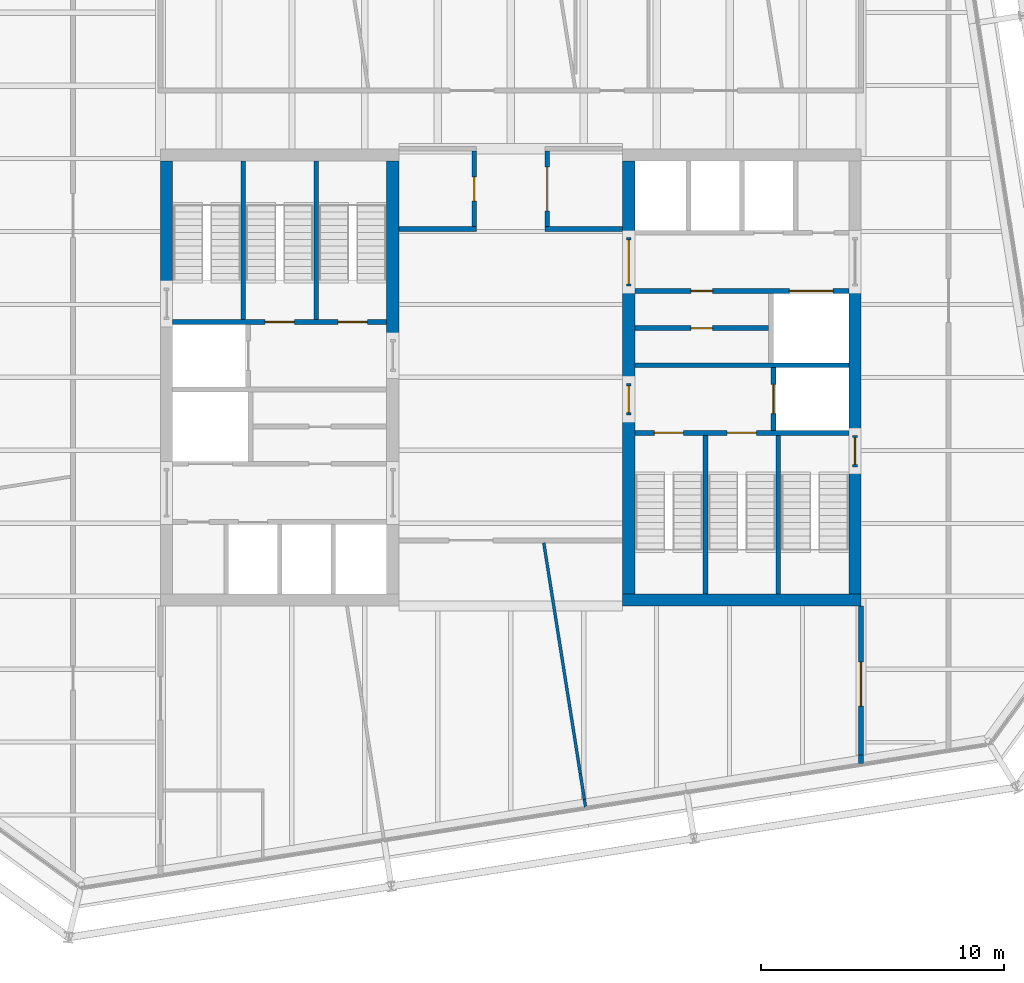
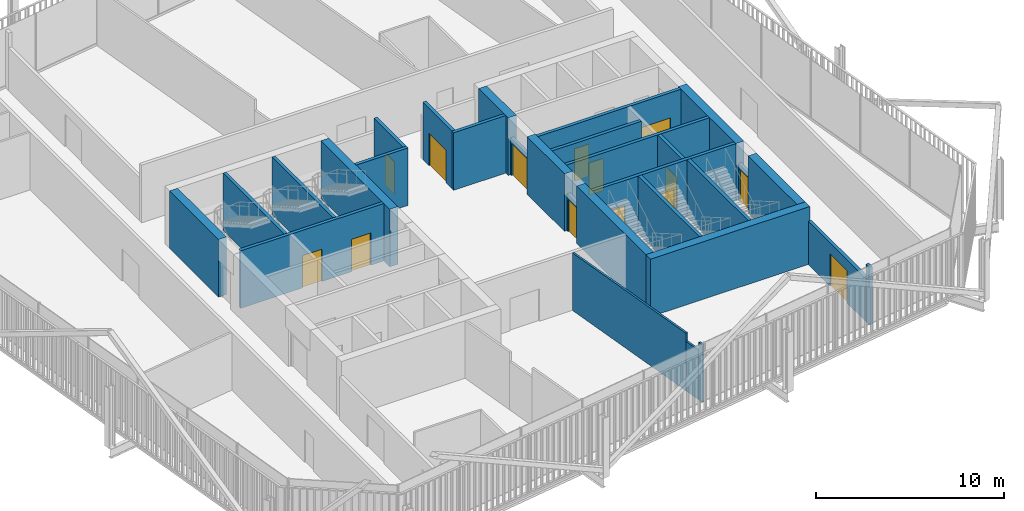
# One storey, part 18 of 21: 30 walls, 14 doors, 14 openings.
"""IFC4 building model written with IfcOpenShell, lengths in metres."""

from ifc_helpers import new_model, si_unit, direction, frame, frame_2d, origin, place, context, subcontext, project, spatial, rectangle, extrude, material, layer, layer_set, type_object, element, fill, save


model = new_model("IFC4")

# Units and contexts
model_context = context("Model", 3, precision=1e-05, world=origin(), true_north=direction((0.0, 1.0)))
body_context = subcontext(model_context, "Body", "Model", "MODEL_VIEW")
ifc_project = project(units=[si_unit("LENGTHUNIT", "METRE"), si_unit("AREAUNIT", "SQUARE_METRE"), si_unit("VOLUMEUNIT", "CUBIC_METRE"), si_unit("PLANEANGLEUNIT", "RADIAN"), si_unit("MASSUNIT", "GRAM", prefix="KILO")], contexts=[model_context])

# Site, building, storey
site_placement = place(None, origin())
site = spatial("IfcSite", under=ifc_project, at=site_placement, CompositionType="ELEMENT")
building_placement = place(site_placement, origin())
building = spatial("IfcBuilding", under=site, at=building_placement, Name="Millrace Tower", CompositionType="ELEMENT")
storey_placement = place(building_placement, frame((0.0, 0.0, 255.199951171875)))
storey = spatial("IfcBuildingStorey", under=building, at=storey_placement, Name="L58", CompositionType="ELEMENT", Elevation=255.199951171875)

# Walls
ifc_material_1 = material(Name="Concrete C60", Category="concrete")
ifc_layer_1 = layer(ifc_material_1, 0.5)
ifc_layer_set_1 = layer_set([ifc_layer_1], Name="Concrete C60")
wall_type_1 = type_object("IfcWallType", Name="Core wall 500 Concrete C60", PredefinedType="SHEAR", material=ifc_layer_set_1)
wall_1_placement = place(storey_placement, frame((-14.14990234375, 3.679931640625, 0.0), z_axis=(0.0, 0.0, 1.0), x_axis=(0.0, 1.0, 0.0)))
element("IfcWall", 1, at=wall_1_placement, inside=storey, type_object=wall_type_1, Name="Core wall W L58", PredefinedType="SHEAR", context=body_context, shape_type="SweptSolid", body=[
    extrude(rectangle(XDim=5.219970703125, YDim=0.5, at=frame_2d((2.60986328125, 0.0))), origin(), (0.0, 0.0, 1.0), 3.739990234375),
])
wall_2_placement = place(storey_placement, frame((-4.85009765625, 1.550048828125, 0.0), z_axis=(0.0, 0.0, 1.0), x_axis=(0.0, 1.0, 0.0)))
element("IfcWall", 2, at=wall_2_placement, inside=storey, type_object=wall_type_1, Name="Core wall W L58", PredefinedType="SHEAR", context=body_context, shape_type="SweptSolid", body=[
    extrude(rectangle(XDim=7.349853515625, YDim=0.5, at=frame_2d((3.6748046875, 0.0))), origin(), (0.0, 0.0, 1.0), 3.739990234375),
])
wall_3_placement = place(storey_placement, frame((14.39990234375, -9.14990234375, 0.0), z_axis=(0.0, 0.0, 1.0), x_axis=(-1.0, 0.0, 0.0)))
element("IfcWall", 3, at=wall_3_placement, inside=storey, type_object=wall_type_1, Name="Core wall E L58", PredefinedType="SHEAR", context=body_context, shape_type="SweptSolid", body=[
    extrude(rectangle(XDim=9.7998046875, YDim=0.5, at=frame_2d((4.89990234375, 0.0))), origin(), (0.0, 0.0, 1.0), 3.739990234375),
])
wall_4_placement = place(storey_placement, frame((14.14990234375, 3.75, 0.0), z_axis=(0.0, 0.0, 1.0), x_axis=(0.0, -1.0, 0.0)))
element("IfcWall", 4, at=wall_4_placement, inside=storey, type_object=wall_type_1, Name="Core wall E L58", PredefinedType="SHEAR", context=body_context, shape_type="SweptSolid", body=[
    extrude(rectangle(XDim=6.1298828125, YDim=0.5, at=frame_2d((3.06494140625, 0.0))), origin(), (0.0, 0.0, 1.0), 3.739990234375),
])
wall_5_placement = place(storey_placement, frame((14.14990234375, -3.679931640625, 0.0), z_axis=(0.0, 0.0, 1.0), x_axis=(0.0, -1.0, 0.0)))
element("IfcWall", 5, at=wall_5_placement, inside=storey, type_object=wall_type_1, Name="Core wall E L58", PredefinedType="SHEAR", context=body_context, shape_type="SweptSolid", body=[
    extrude(rectangle(XDim=5.219970703125, YDim=0.5, at=frame_2d((2.60986328125, 0.0))), origin(), (0.0, 0.0, 1.0), 3.739990234375),
])
wall_6_placement = place(storey_placement, frame((4.85009765625, 8.89990234375, 0.0), z_axis=(0.0, 0.0, 1.0), x_axis=(0.0, -1.0, 0.0)))
element("IfcWall", 6, at=wall_6_placement, inside=storey, type_object=wall_type_1, Name="Core wall E L58", PredefinedType="SHEAR", context=body_context, shape_type="SweptSolid", body=[
    extrude(rectangle(XDim=3.14990234375, YDim=0.5, at=frame_2d((1.574951171875, 0.0))), origin(), (0.0, 0.0, 1.0), 3.739990234375),
])
wall_7_placement = place(storey_placement, frame((4.85009765625, 3.75, 0.0), z_axis=(0.0, 0.0, 1.0), x_axis=(0.0, -1.0, 0.0)))
element("IfcWall", 7, at=wall_7_placement, inside=storey, type_object=wall_type_1, Name="Core wall E L58", PredefinedType="SHEAR", context=body_context, shape_type="SweptSolid", body=[
    extrude(rectangle(XDim=4.0, YDim=0.5, at=frame_2d((2.0, 0.0))), origin(), (0.0, 0.0, 1.0), 3.739990234375),
])
wall_8_placement = place(storey_placement, frame((4.85009765625, -1.550048828125, 0.0), z_axis=(0.0, 0.0, 1.0), x_axis=(0.0, -1.0, 0.0)))
element("IfcWall", 8, at=wall_8_placement, inside=storey, type_object=wall_type_1, Name="Core wall E L58", PredefinedType="SHEAR", context=body_context, shape_type="SweptSolid", body=[
    extrude(rectangle(XDim=7.349853515625, YDim=0.5, at=frame_2d((3.6748046875, 0.0))), origin(), (0.0, 0.0, 1.0), 3.739990234375),
])
ifc_material_2 = material(Name="Masonry partition, fire-rated", Category="masonry")
ifc_layer_2 = layer(ifc_material_2, 0.199951171875)
ifc_layer_set_2 = layer_set([ifc_layer_2], Name="Masonry partition, fire-rated")
wall_type_2 = type_object("IfcWallType", Name="Corridor wall 200", PredefinedType="PARTITIONING", material=ifc_layer_set_2)
for number, where, z_axis, x_axis, name in (
    (9, (-4.60009765625, 6.10009765625, 0.0), (0.0, 0.0, 1.0), (1.0, 0.0, 0.0), "Corridor wall L58"),
    (10, (1.39990234375, 6.10009765625, 0.0), (0.0, 0.0, 1.0), (1.0, 0.0, 0.0), "Corridor wall L58"),
):
    element("IfcWall", number, at=place(storey_placement, frame(where, z_axis=z_axis, x_axis=x_axis)), inside=storey, type_object=wall_type_2, Name=name, PredefinedType="PARTITIONING", context=body_context, shape_type="SweptSolid", body=[
        extrude(rectangle(XDim=3.2001953125, YDim=0.199951171875, at=frame_2d((1.60009765625, 0.0))), origin(), (0.0, 0.0, 1.0), 3.739990234375),
    ])
wall_9_placement = place(storey_placement, frame((14.39990234375, -15.87451171875, 0.0), z_axis=(0.0, 0.0, 1.0), x_axis=(0.0, 1.0, 0.0)))
element("IfcWall", 11, at=wall_9_placement, inside=storey, type_object=wall_type_2, Name="Corridor wall L58", PredefinedType="PARTITIONING", context=body_context, shape_type="SweptSolid", body=[
    extrude(rectangle(XDim=0.349609375, YDim=0.199951171875, at=frame_2d((0.1748046875, 0.0))), origin(), (0.0, 0.0, 1.0), 3.739990234375),
])

# Wall, opening, door
wall_10_placement = place(storey_placement, frame((14.39990234375, -15.52490234375, 0.0), z_axis=(0.0, 0.0, 1.0), x_axis=(0.0, 1.0, 0.0)))
wall_10 = element("IfcWall", 12, at=wall_10_placement, inside=storey, type_object=wall_type_2, Name="Corridor wall L58", PredefinedType="PARTITIONING", context=body_context, shape_type="SweptSolid", body=[
    extrude(rectangle(XDim=6.125, YDim=0.199951171875, at=frame_2d((3.0625, 0.0))), origin(), (0.0, 0.0, 1.0), 2.81298828125),
])
opening_1_placement = place(wall_10_placement, frame((2.012939453125, 0.0, 0.0)))
opening_1 = element("IfcOpeningElement", 13, at=opening_1_placement, cuts=wall_10, Name="Opening 58-P014", PredefinedType="OPENING", context=body_context, shape_type="SweptSolid", body=[
    extrude(rectangle(XDim=1.800048828125, YDim=2.10009765625, at=frame_2d((0.89990234375, 1.050048828125))), frame((0.0, 0.10986328125, 0.0), z_axis=(0.0, -1.0, 0.0), x_axis=(1.0, 0.0, 0.0)), (0.0, 0.0, 1.0), 0.219970703125),
])
ifc_material_3 = material(Name="Steel door set, fire-rated", Category="steel")
door_type_1 = type_object("IfcDoorType", Name="Corridor door 1800 x 2100", OperationType="DOUBLE_DOOR_SINGLE_SWING", PredefinedType="DOOR", material=ifc_material_3)
door_1_placement = place(opening_1_placement, origin())
door_1 = element("IfcDoor", 14, at=door_1_placement, inside=storey, type_object=door_type_1, Name="Door 58-P014", OperationType="DOUBLE_DOOR_SINGLE_SWING", OverallHeight=2.10009765625, OverallWidth=1.800048828125, PredefinedType="DOOR", context=body_context, shape_type="SweptSolid", body=[
    extrude(rectangle(XDim=1.800048828125, YDim=2.10009765625, at=frame_2d((0.89990234375, 1.050048828125))), frame((0.0, 0.02490234375, 0.0), z_axis=(0.0, -1.0, 0.0), x_axis=(1.0, 0.0, 0.0)), (0.0, 0.0, 1.0), 0.050048828125),
])
fill(opening_1, door_1)

wall_11_placement = place(storey_placement, frame((1.5, 6.199951171875, 0.0), z_axis=(0.0, 0.0, 1.0), x_axis=(0.0, 1.0, 0.0)))
wall_11 = element("IfcWall", 15, at=wall_11_placement, inside=storey, type_object=wall_type_2, Name="Corridor wall L58", PredefinedType="PARTITIONING", context=body_context, shape_type="SweptSolid", body=[
    extrude(rectangle(XDim=3.10009765625, YDim=0.199951171875, at=frame_2d((1.550048828125, 0.0))), origin(), (0.0, 0.0, 1.0), 3.739990234375),
])
opening_2_placement = place(wall_11_placement, frame((0.64990234375, 0.0, 0.0)))
opening_2 = element("IfcOpeningElement", 16, at=opening_2_placement, cuts=wall_11, Name="Opening 58-P002", PredefinedType="OPENING", context=body_context, shape_type="SweptSolid", body=[
    extrude(rectangle(XDim=1.800048828125, YDim=2.10009765625, at=frame_2d((0.89990234375, 1.050048828125))), frame((0.0, 0.10986328125, 0.0), z_axis=(0.0, -1.0, 0.0), x_axis=(1.0, 0.0, 0.0)), (0.0, 0.0, 1.0), 0.219970703125),
])
ifc_material_4 = material(Name="Steel door set, fire-rated", Category="steel")
door_type_2 = type_object("IfcDoorType", Name="Data hall door 1800 x 2100", OperationType="DOUBLE_DOOR_SINGLE_SWING", PredefinedType="DOOR", material=ifc_material_4)
door_2_placement = place(opening_2_placement, frame((1.800048828125, 0.0, 0.0), z_axis=(0.0, 0.0, 1.0), x_axis=(-1.0, 0.0, 0.0)))
door_2 = element("IfcDoor", 17, at=door_2_placement, inside=storey, type_object=door_type_2, Name="Door 58-P002", OperationType="DOUBLE_DOOR_SINGLE_SWING", OverallHeight=2.10009765625, OverallWidth=1.800048828125, PredefinedType="DOOR", context=body_context, shape_type="SweptSolid", body=[
    extrude(rectangle(XDim=1.800048828125, YDim=2.10009765625, at=frame_2d((0.89990234375, 1.050048828125))), frame((0.0, 0.02490234375, 0.0), z_axis=(0.0, -1.0, 0.0), x_axis=(1.0, 0.0, 0.0)), (0.0, 0.0, 1.0), 0.050048828125),
])
fill(opening_2, door_2)

wall_12_placement = place(storey_placement, frame((-1.5, 6.199951171875, 0.0), z_axis=(0.0, 0.0, 1.0), x_axis=(0.0, 1.0, 0.0)))
wall_12 = element("IfcWall", 18, at=wall_12_placement, inside=storey, type_object=wall_type_2, Name="Corridor wall L58", PredefinedType="PARTITIONING", context=body_context, shape_type="SweptSolid", body=[
    extrude(rectangle(XDim=3.10009765625, YDim=0.199951171875, at=frame_2d((1.550048828125, 0.0))), origin(), (0.0, 0.0, 1.0), 3.739990234375),
])
opening_3_placement = place(wall_12_placement, frame((1.050048828125, 0.0, 0.0)))
opening_3 = element("IfcOpeningElement", 19, at=opening_3_placement, cuts=wall_12, Name="Opening 58-P001", PredefinedType="OPENING", context=body_context, shape_type="SweptSolid", body=[
    extrude(rectangle(XDim=1.0, YDim=2.10009765625, at=frame_2d((0.5, 1.050048828125))), frame((0.0, 0.10986328125, 0.0), z_axis=(0.0, -1.0, 0.0), x_axis=(1.0, 0.0, 0.0)), (0.0, 0.0, 1.0), 0.219970703125),
])
ifc_material_5 = material(Name="Steel door set, fire-rated", Category="steel")
door_type_3 = type_object("IfcDoorType", Name="Corridor door 1000 x 2100", OperationType="SINGLE_SWING_LEFT", PredefinedType="DOOR", material=ifc_material_5)
door_3_placement = place(opening_3_placement, origin())
door_3 = element("IfcDoor", 20, at=door_3_placement, inside=storey, type_object=door_type_3, Name="Door 58-P001", OperationType="SINGLE_SWING_LEFT", OverallHeight=2.10009765625, OverallWidth=1.0, PredefinedType="DOOR", context=body_context, shape_type="SweptSolid", body=[
    extrude(rectangle(XDim=1.0, YDim=2.10009765625, at=frame_2d((0.5, 1.050048828125))), frame((0.0, 0.02490234375, 0.0), z_axis=(0.0, -1.0, 0.0), x_axis=(1.0, 0.0, 0.0)), (0.0, 0.0, 1.0), 0.050048828125),
])
fill(opening_3, door_3)

# Wall, openings, doors
ifc_material_6 = material(Name="Masonry partition, fire-rated", Category="masonry")
ifc_layer_3 = layer(ifc_material_6, 0.199951171875)
ifc_layer_set_3 = layer_set([ifc_layer_3], Name="Masonry partition, fire-rated")
wall_type_3 = type_object("IfcWallType", Name="Lift shaft wall 200", PredefinedType="PARTITIONING", material=ifc_layer_set_3)
wall_13_placement = place(storey_placement, frame((13.89990234375, 3.550048828125, 0.0), z_axis=(0.0, 0.0, 1.0), x_axis=(-1.0, 0.0, 0.0)))
wall_13 = element("IfcWall", 21, at=wall_13_placement, inside=storey, type_object=wall_type_3, Name="Lift shaft wall E L58", PredefinedType="PARTITIONING", context=body_context, shape_type="SweptSolid", body=[
    extrude(rectangle(XDim=8.7998046875, YDim=0.199951171875, at=frame_2d((4.39990234375, 0.0))), origin(), (0.0, 0.0, 1.0), 3.739990234375),
])
opening_4_placement = place(wall_13_placement, frame((0.64990234375, 0.0, 0.0)))
opening_4 = element("IfcOpeningElement", 22, at=opening_4_placement, cuts=wall_13, Name="Opening 58-LD13", PredefinedType="OPENING", context=body_context, shape_type="SweptSolid", body=[
    extrude(rectangle(XDim=1.800048828125, YDim=2.10009765625, at=frame_2d((0.89990234375, 1.050048828125))), frame((0.0, 0.10986328125, 0.0), z_axis=(0.0, -1.0, 0.0), x_axis=(1.0, 0.0, 0.0)), (0.0, 0.0, 1.0), 0.219970703125),
])
opening_5_placement = place(wall_13_placement, frame((5.60009765625, 0.0, 0.0)))
opening_5 = element("IfcOpeningElement", 23, at=opening_5_placement, cuts=wall_13, Name="Opening 58-C015", PredefinedType="OPENING", context=body_context, shape_type="SweptSolid", body=[
    extrude(rectangle(XDim=0.89990234375, YDim=2.10009765625, at=frame_2d((0.449951171875, 1.050048828125))), frame((0.0, 0.10986328125, 0.0), z_axis=(0.0, -1.0, 0.0), x_axis=(1.0, 0.0, 0.0)), (0.0, 0.0, 1.0), 0.219970703125),
])
ifc_material_7 = material(Name="Stainless steel, fire-rated", Category="steel")
door_type_4 = type_object("IfcDoorType", Name="Lift landing door 1800 x 2100", OperationType="DOUBLE_DOOR_SLIDING", PredefinedType="DOOR", material=ifc_material_7)
door_4_placement = place(opening_4_placement, origin())
door_4 = element("IfcDoor", 24, at=door_4_placement, inside=storey, type_object=door_type_4, Name="Lift landing door LF13 L58", OperationType="DOUBLE_DOOR_SLIDING", OverallHeight=2.10009765625, OverallWidth=1.800048828125, PredefinedType="DOOR", context=body_context, shape_type="SweptSolid", body=[
    extrude(rectangle(XDim=1.800048828125, YDim=2.10009765625, at=frame_2d((0.89990234375, 1.050048828125))), frame((0.0, 0.02490234375, 0.0), z_axis=(0.0, -1.0, 0.0), x_axis=(1.0, 0.0, 0.0)), (0.0, 0.0, 1.0), 0.050048828125),
])
fill(opening_4, door_4)
ifc_material_8 = material(Name="Steel door, fire-rated", Category="steel")
door_type_5 = type_object("IfcDoorType", Name="Service room door 900 x 2100", OperationType="SINGLE_SWING_LEFT", PredefinedType="DOOR", material=ifc_material_8)
door_5_placement = place(opening_5_placement, frame((0.89990234375, 0.0, 0.0), z_axis=(0.0, 0.0, 1.0), x_axis=(-1.0, 0.0, 0.0)))
door_5 = element("IfcDoor", 25, at=door_5_placement, inside=storey, type_object=door_type_5, Name="Service room door 58-C015", OperationType="SINGLE_SWING_LEFT", OverallHeight=2.10009765625, OverallWidth=0.89990234375, PredefinedType="DOOR", context=body_context, shape_type="SweptSolid", body=[
    extrude(rectangle(XDim=0.89990234375, YDim=2.10009765625, at=frame_2d((0.449951171875, 1.050048828125))), frame((0.0, 0.02490234375, 0.0), z_axis=(0.0, -1.0, 0.0), x_axis=(1.0, 0.0, 0.0)), (0.0, 0.0, 1.0), 0.050048828125),
])
fill(opening_5, door_5)

# Wall
wall_14_placement = place(storey_placement, frame((13.89990234375, 0.5, 0.0), z_axis=(0.0, 0.0, 1.0), x_axis=(-1.0, 0.0, 0.0)))
element("IfcWall", 26, at=wall_14_placement, inside=storey, type_object=wall_type_3, Name="Lift shaft wall E L58", PredefinedType="PARTITIONING", context=body_context, shape_type="SweptSolid", body=[
    extrude(rectangle(XDim=8.7998046875, YDim=0.199951171875, at=frame_2d((4.39990234375, 0.0))), origin(), (0.0, 0.0, 1.0), 3.739990234375),
])

# Wall, opening, door
wall_15_placement = place(storey_placement, frame((10.800048828125, 0.39990234375, 0.0), z_axis=(0.0, 0.0, 1.0), x_axis=(0.0, -1.0, 0.0)))
wall_15 = element("IfcWall", 27, at=wall_15_placement, inside=storey, type_object=wall_type_3, Name="Lift shaft wall E L58", PredefinedType="PARTITIONING", context=body_context, shape_type="SweptSolid", body=[
    extrude(rectangle(XDim=2.579833984375, YDim=0.199951171875, at=frame_2d((1.2900390625, 0.0))), origin(), (0.0, 0.0, 1.0), 3.739990234375),
])
opening_6_placement = place(wall_15_placement, frame((0.68994140625, 0.0, 0.0)))
opening_6 = element("IfcOpeningElement", 28, at=opening_6_placement, cuts=wall_15, Name="Opening 58-LD16", PredefinedType="OPENING", context=body_context, shape_type="SweptSolid", body=[
    extrude(rectangle(XDim=1.199951171875, YDim=2.10009765625, at=frame_2d((0.60009765625, 1.050048828125))), frame((0.0, 0.10986328125, 0.0), z_axis=(0.0, -1.0, 0.0), x_axis=(1.0, 0.0, 0.0)), (0.0, 0.0, 1.0), 0.219970703125),
])
ifc_material_9 = material(Name="Stainless steel, fire-rated", Category="steel")
door_type_6 = type_object("IfcDoorType", Name="Lift landing door 1200 x 2100", OperationType="DOUBLE_DOOR_SLIDING", PredefinedType="DOOR", material=ifc_material_9)
door_6_placement = place(opening_6_placement, origin())
door_6 = element("IfcDoor", 29, at=door_6_placement, inside=storey, type_object=door_type_6, Name="Lift landing door LF16 L58", OperationType="DOUBLE_DOOR_SLIDING", OverallHeight=2.10009765625, OverallWidth=1.199951171875, PredefinedType="DOOR", context=body_context, shape_type="SweptSolid", body=[
    extrude(rectangle(XDim=1.199951171875, YDim=2.10009765625, at=frame_2d((0.60009765625, 1.050048828125))), frame((0.0, 0.02490234375, 0.0), z_axis=(0.0, -1.0, 0.0), x_axis=(1.0, 0.0, 0.0)), (0.0, 0.0, 1.0), 0.050048828125),
])
fill(opening_6, door_6)

ifc_material_10 = material(Name="Masonry partition, fire-rated", Category="masonry")
ifc_layer_4 = layer(ifc_material_10, 0.199951171875)
ifc_layer_set_4 = layer_set([ifc_layer_4], Name="Masonry partition, fire-rated")
wall_type_4 = type_object("IfcWallType", Name="Lobby wall 200", PredefinedType="PARTITIONING", material=ifc_layer_set_4)
wall_16_placement = place(storey_placement, frame((4.85009765625, 5.75, 0.0), z_axis=(0.0, 0.0, 1.0), x_axis=(0.0, -1.0, 0.0)))
wall_16 = element("IfcWall", 30, at=wall_16_placement, inside=storey, type_object=wall_type_4, Name="Lobby wall E L58", PredefinedType="PARTITIONING", context=body_context, shape_type="SweptSolid", body=[
    extrude(rectangle(XDim=2.0, YDim=0.199951171875, at=frame_2d((1.0, 0.0))), origin(), (0.0, 0.0, 1.0), 2.400146484375),
])
opening_7_placement = place(wall_16_placement, frame((0.10009765625, 0.0, 0.0)))
opening_7 = element("IfcOpeningElement", 31, at=opening_7_placement, cuts=wall_16, Name="Opening 58-C012", PredefinedType="OPENING", context=body_context, shape_type="SweptSolid", body=[
    extrude(rectangle(XDim=1.800048828125, YDim=2.10009765625, at=frame_2d((0.89990234375, 1.050048828125))), frame((0.0, 0.10986328125, 0.0), z_axis=(0.0, -1.0, 0.0), x_axis=(1.0, 0.0, 0.0)), (0.0, 0.0, 1.0), 0.219970703125),
])
ifc_material_11 = material(Name="Steel door, fire-rated", Category="steel")
door_type_7 = type_object("IfcDoorType", Name="Lobby door 1800 x 2100", OperationType="DOUBLE_DOOR_SINGLE_SWING", PredefinedType="DOOR", material=ifc_material_11)
door_7_placement = place(opening_7_placement, frame((1.800048828125, 0.0, 0.0), z_axis=(0.0, 0.0, 1.0), x_axis=(-1.0, 0.0, 0.0)))
door_7 = element("IfcDoor", 32, at=door_7_placement, inside=storey, type_object=door_type_7, Name="Lobby door 58-C012", OperationType="DOUBLE_DOOR_SINGLE_SWING", OverallHeight=2.10009765625, OverallWidth=1.800048828125, PredefinedType="DOOR", context=body_context, shape_type="SweptSolid", body=[
    extrude(rectangle(XDim=1.800048828125, YDim=2.10009765625, at=frame_2d((0.89990234375, 1.050048828125))), frame((0.0, 0.02490234375, 0.0), z_axis=(0.0, -1.0, 0.0), x_axis=(1.0, 0.0, 0.0)), (0.0, 0.0, 1.0), 0.050048828125),
])
fill(opening_7, door_7)

wall_17_placement = place(storey_placement, frame((4.85009765625, -0.25, 0.0), z_axis=(0.0, 0.0, 1.0), x_axis=(0.0, -1.0, 0.0)))
wall_17 = element("IfcWall", 33, at=wall_17_placement, inside=storey, type_object=wall_type_4, Name="Lobby wall E L58", PredefinedType="PARTITIONING", context=body_context, shape_type="SweptSolid", body=[
    extrude(rectangle(XDim=1.300048828125, YDim=0.199951171875, at=frame_2d((0.64990234375, 0.0))), origin(), (0.0, 0.0, 1.0), 2.400146484375),
])
opening_8_placement = place(wall_17_placement, frame((0.10009765625, 0.0, 0.0)))
opening_8 = element("IfcOpeningElement", 34, at=opening_8_placement, cuts=wall_17, Name="Opening 58-C013", PredefinedType="OPENING", context=body_context, shape_type="SweptSolid", body=[
    extrude(rectangle(XDim=1.10009765625, YDim=2.10009765625, at=frame_2d((0.550048828125, 1.050048828125))), frame((0.0, 0.10986328125, 0.0), z_axis=(0.0, -1.0, 0.0), x_axis=(1.0, 0.0, 0.0)), (0.0, 0.0, 1.0), 0.219970703125),
])
ifc_material_12 = material(Name="Steel door, fire-rated", Category="steel")
door_type_8 = type_object("IfcDoorType", Name="Lobby door 1100 x 2100", OperationType="SINGLE_SWING_LEFT", PredefinedType="DOOR", material=ifc_material_12)
door_8_placement = place(opening_8_placement, frame((1.10009765625, 0.0, 0.0), z_axis=(0.0, 0.0, 1.0), x_axis=(-1.0, 0.0, 0.0)))
door_8 = element("IfcDoor", 35, at=door_8_placement, inside=storey, type_object=door_type_8, Name="Lobby door 58-C013", OperationType="SINGLE_SWING_RIGHT", OverallHeight=2.10009765625, OverallWidth=1.10009765625, PredefinedType="DOOR", context=body_context, shape_type="SweptSolid", body=[
    extrude(rectangle(XDim=1.10009765625, YDim=2.10009765625, at=frame_2d((0.550048828125, 1.050048828125))), frame((0.0, 0.02490234375, 0.0), z_axis=(0.0, -1.0, 0.0), x_axis=(1.0, 0.0, 0.0)), (0.0, 0.0, 1.0), 0.050048828125),
])
fill(opening_8, door_8)

# Walls
ifc_material_13 = material(Name="Gypsum board partition")
ifc_layer_5 = layer(ifc_material_13, 0.1201171875)
ifc_layer_set_5 = layer_set([ifc_layer_5], Name="Gypsum board partition")
wall_type_5 = type_object("IfcWallType", Name="Partition wall 120", PredefinedType="PARTITIONING", material=ifc_layer_set_5)
wall_18_placement = place(storey_placement, frame((1.355712890625, -6.798828125, 0.0), z_axis=(0.0, 0.0, 1.0), x_axis=(0.15639059341, -0.98769528818, 0.0)))
element("IfcWall", 36, at=wall_18_placement, inside=storey, type_object=wall_type_5, Name="Partition wall L58", PredefinedType="PARTITIONING", context=body_context, shape_type="SweptSolid", body=[
    extrude(rectangle(XDim=9.60693359375, YDim=0.1201171875, at=frame_2d((4.803466796875, 0.0))), origin(), (0.0, 0.0, 1.0), 3.739990234375),
])
wall_19_placement = place(storey_placement, frame((2.858154296875, -16.28759765625, 0.0), z_axis=(0.0, 0.0, 1.0), x_axis=(0.156535041478, -0.987672405603, 0.0)))
element("IfcWall", 37, at=wall_19_placement, inside=storey, type_object=wall_type_5, Name="Partition wall L58", PredefinedType="PARTITIONING", context=body_context, shape_type="SweptSolid", body=[
    extrude(rectangle(XDim=1.072998046875, YDim=0.1201171875, at=frame_2d((0.53662109375, 0.0))), origin(), (0.0, 0.0, 1.0), 3.21435546875),
])
wall_20_placement = place(storey_placement, frame((3.026123046875, -17.347412109375, 0.0), z_axis=(0.0, 0.0, 1.0), x_axis=(0.155730772494, -0.987799537608, 0.0)))
element("IfcWall", 38, at=wall_20_placement, inside=storey, type_object=wall_type_5, Name="Partition wall L58", PredefinedType="PARTITIONING", context=body_context, shape_type="SweptSolid", body=[
    extrude(rectangle(XDim=0.324462890625, YDim=0.1201171875, at=frame_2d((0.162109375, 0.0))), origin(), (0.0, 0.0, 1.0), 3.739990234375),
])

# Wall, opening, door
ifc_material_14 = material(Name="Masonry partition, fire-rated", Category="masonry")
ifc_layer_6 = layer(ifc_material_14, 0.199951171875)
ifc_layer_set_6 = layer_set([ifc_layer_6], Name="Masonry partition, fire-rated")
wall_type_6 = type_object("IfcWallType", Name="Room partition 200", PredefinedType="PARTITIONING", material=ifc_layer_set_6)
wall_21_placement = place(storey_placement, frame((10.60009765625, 2.02490234375, 0.0), z_axis=(0.0, 0.0, 1.0), x_axis=(-1.0, 0.0, 0.0)))
wall_21 = element("IfcWall", 39, at=wall_21_placement, inside=storey, type_object=wall_type_6, Name="Room partition E L58", PredefinedType="PARTITIONING", context=body_context, shape_type="SweptSolid", body=[
    extrude(rectangle(XDim=5.5, YDim=0.199951171875, at=frame_2d((2.75, 0.0))), origin(), (0.0, 0.0, 1.0), 3.739990234375),
])
opening_9_placement = place(wall_21_placement, frame((2.300048828125, 0.0, 0.0)))
opening_9 = element("IfcOpeningElement", 40, at=opening_9_placement, cuts=wall_21, Name="Opening 58-C016", PredefinedType="OPENING", context=body_context, shape_type="SweptSolid", body=[
    extrude(rectangle(XDim=0.89990234375, YDim=2.10009765625, at=frame_2d((0.449951171875, 1.050048828125))), frame((0.0, 0.10986328125, 0.0), z_axis=(0.0, -1.0, 0.0), x_axis=(1.0, 0.0, 0.0)), (0.0, 0.0, 1.0), 0.219970703125),
])
door_9_placement = place(opening_9_placement, origin())
door_9 = element("IfcDoor", 41, at=door_9_placement, inside=storey, type_object=door_type_5, Name="Service room door 58-C016", OperationType="SINGLE_SWING_LEFT", OverallHeight=2.10009765625, OverallWidth=0.89990234375, PredefinedType="DOOR", context=body_context, shape_type="SweptSolid", body=[
    extrude(rectangle(XDim=0.89990234375, YDim=2.10009765625, at=frame_2d((0.449951171875, 1.050048828125))), frame((0.0, 0.02490234375, 0.0), z_axis=(0.0, -1.0, 0.0), x_axis=(1.0, 0.0, 0.0)), (0.0, 0.0, 1.0), 0.050048828125),
])
fill(opening_9, door_9)

# Wall, openings, doors
ifc_material_15 = material(Name="Concrete C40", Category="concrete")
ifc_layer_7 = layer(ifc_material_15, 0.199951171875)
ifc_layer_set_7 = layer_set([ifc_layer_7], Name="Concrete C40")
wall_type_7 = type_object("IfcWallType", Name="Stair enclosure wall 200 Concrete C40", PredefinedType="SHEAR", material=ifc_layer_set_7)
wall_22_placement = place(storey_placement, frame((-13.89990234375, 2.280029296875, 0.0), z_axis=(0.0, 0.0, 1.0), x_axis=(1.0, 0.0, 0.0)))
wall_22 = element("IfcWall", 42, at=wall_22_placement, inside=storey, type_object=wall_type_7, Name="Stair enclosure wall W L58", PredefinedType="SHEAR", context=body_context, shape_type="SweptSolid", body=[
    extrude(rectangle(XDim=8.7998046875, YDim=0.199951171875, at=frame_2d((4.39990234375, 0.0))), origin(), (0.0, 0.0, 1.0), 3.739990234375),
])
opening_10_placement = place(wall_22_placement, frame((3.800048828125, 0.0, 0.0)))
opening_10 = element("IfcOpeningElement", 43, at=opening_10_placement, cuts=wall_22, Name="Opening 58-C008", PredefinedType="OPENING", context=body_context, shape_type="SweptSolid", body=[
    extrude(rectangle(XDim=1.199951171875, YDim=2.10009765625, at=frame_2d((0.60009765625, 1.050048828125))), frame((0.0, 0.10986328125, 0.0), z_axis=(0.0, -1.0, 0.0), x_axis=(1.0, 0.0, 0.0)), (0.0, 0.0, 1.0), 0.219970703125),
])
opening_11_placement = place(wall_22_placement, frame((6.800048828125, 0.0, 0.0)))
opening_11 = element("IfcOpeningElement", 44, at=opening_11_placement, cuts=wall_22, Name="Opening 58-C009", PredefinedType="OPENING", context=body_context, shape_type="SweptSolid", body=[
    extrude(rectangle(XDim=1.199951171875, YDim=2.10009765625, at=frame_2d((0.60009765625, 1.050048828125))), frame((0.0, 0.10986328125, 0.0), z_axis=(0.0, -1.0, 0.0), x_axis=(1.0, 0.0, 0.0)), (0.0, 0.0, 1.0), 0.219970703125),
])
ifc_material_16 = material(Name="Steel door, fire-rated", Category="steel")
door_type_9 = type_object("IfcDoorType", Name="Stair door 1200 x 2100", OperationType="SINGLE_SWING_LEFT", PredefinedType="DOOR", material=ifc_material_16)
door_10_placement = place(opening_10_placement, frame((1.199951171875, 0.0, 0.0), z_axis=(0.0, 0.0, 1.0), x_axis=(-1.0, 0.0, 0.0)))
door_10 = element("IfcDoor", 45, at=door_10_placement, inside=storey, type_object=door_type_9, Name="Stair door 58-C008", OperationType="SINGLE_SWING_LEFT", OverallHeight=2.10009765625, OverallWidth=1.199951171875, PredefinedType="DOOR", context=body_context, shape_type="SweptSolid", body=[
    extrude(rectangle(XDim=1.199951171875, YDim=2.10009765625, at=frame_2d((0.60009765625, 1.050048828125))), frame((0.0, 0.02490234375, 0.0), z_axis=(0.0, -1.0, 0.0), x_axis=(1.0, 0.0, 0.0)), (0.0, 0.0, 1.0), 0.050048828125),
])
fill(opening_10, door_10)
door_11_placement = place(opening_11_placement, frame((1.199951171875, 0.0, 0.0), z_axis=(0.0, 0.0, 1.0), x_axis=(-1.0, 0.0, 0.0)))
door_11 = element("IfcDoor", 46, at=door_11_placement, inside=storey, type_object=door_type_9, Name="Stair door 58-C009", OperationType="SINGLE_SWING_LEFT", OverallHeight=2.10009765625, OverallWidth=1.199951171875, PredefinedType="DOOR", context=body_context, shape_type="SweptSolid", body=[
    extrude(rectangle(XDim=1.199951171875, YDim=2.10009765625, at=frame_2d((0.60009765625, 1.050048828125))), frame((0.0, 0.02490234375, 0.0), z_axis=(0.0, -1.0, 0.0), x_axis=(1.0, 0.0, 0.0)), (0.0, 0.0, 1.0), 0.050048828125),
])
fill(opening_11, door_11)

# Walls
for number, where, z_axis, x_axis, name in (
    (47, (-11.0, 2.3798828125, 0.0), (0.0, 0.0, 1.0), (0.0, 1.0, 0.0), "Stair enclosure wall W L58"),
    (48, (-8.0, 2.3798828125, 0.0), (0.0, 0.0, 1.0), (0.0, 1.0, 0.0), "Stair enclosure wall W L58"),
):
    element("IfcWall", number, at=place(storey_placement, frame(where, z_axis=z_axis, x_axis=x_axis)), inside=storey, type_object=wall_type_7, Name=name, PredefinedType="SHEAR", context=body_context, shape_type="SweptSolid", body=[
        extrude(rectangle(XDim=6.52001953125, YDim=0.199951171875, at=frame_2d((3.260009765625, 0.0))), origin(), (0.0, 0.0, 1.0), 3.739990234375),
    ])

# Wall, opening, door
wall_23_placement = place(storey_placement, frame((14.14990234375, -2.3798828125, 0.0), z_axis=(0.0, 0.0, 1.0), x_axis=(0.0, -1.0, 0.0)))
wall_23 = element("IfcWall", 49, at=wall_23_placement, inside=storey, type_object=wall_type_7, Name="Stair enclosure wall E L58", PredefinedType="SHEAR", context=body_context, shape_type="SweptSolid", body=[
    extrude(rectangle(XDim=1.300048828125, YDim=0.199951171875, at=frame_2d((0.64990234375, 0.0))), origin(), (0.0, 0.0, 1.0), 2.400146484375),
])
opening_12_placement = place(wall_23_placement, frame((0.10009765625, 0.0, 0.0)))
opening_12 = element("IfcOpeningElement", 50, at=opening_12_placement, cuts=wall_23, Name="Opening 58-C011", PredefinedType="OPENING", context=body_context, shape_type="SweptSolid", body=[
    extrude(rectangle(XDim=1.10009765625, YDim=2.10009765625, at=frame_2d((0.550048828125, 1.050048828125))), frame((0.0, 0.10986328125, 0.0), z_axis=(0.0, -1.0, 0.0), x_axis=(1.0, 0.0, 0.0)), (0.0, 0.0, 1.0), 0.219970703125),
])
ifc_material_17 = material(Name="Steel door, fire-rated", Category="steel")
door_type_10 = type_object("IfcDoorType", Name="Stair door 1100 x 2100", OperationType="SINGLE_SWING_LEFT", PredefinedType="DOOR", material=ifc_material_17)
door_12_placement = place(opening_12_placement, origin())
door_12 = element("IfcDoor", 51, at=door_12_placement, inside=storey, type_object=door_type_10, Name="Stair door 58-C011", OperationType="SINGLE_SWING_RIGHT", OverallHeight=2.10009765625, OverallWidth=1.10009765625, PredefinedType="DOOR", context=body_context, shape_type="SweptSolid", body=[
    extrude(rectangle(XDim=1.10009765625, YDim=2.10009765625, at=frame_2d((0.550048828125, 1.050048828125))), frame((0.0, 0.02490234375, 0.0), z_axis=(0.0, -1.0, 0.0), x_axis=(1.0, 0.0, 0.0)), (0.0, 0.0, 1.0), 0.050048828125),
])
fill(opening_12, door_12)

# Wall, openings, doors
wall_24_placement = place(storey_placement, frame((13.89990234375, -2.280029296875, 0.0), z_axis=(0.0, 0.0, 1.0), x_axis=(-1.0, 0.0, 0.0)))
wall_24 = element("IfcWall", 52, at=wall_24_placement, inside=storey, type_object=wall_type_7, Name="Stair enclosure wall E L58", PredefinedType="SHEAR", context=body_context, shape_type="SweptSolid", body=[
    extrude(rectangle(XDim=8.7998046875, YDim=0.199951171875, at=frame_2d((4.39990234375, 0.0))), origin(), (0.0, 0.0, 1.0), 3.739990234375),
])
opening_13_placement = place(wall_24_placement, frame((3.800048828125, 0.0, 0.0)))
opening_13 = element("IfcOpeningElement", 53, at=opening_13_placement, cuts=wall_24, Name="Opening 58-C017", PredefinedType="OPENING", context=body_context, shape_type="SweptSolid", body=[
    extrude(rectangle(XDim=1.199951171875, YDim=2.10009765625, at=frame_2d((0.60009765625, 1.050048828125))), frame((0.0, 0.10986328125, 0.0), z_axis=(0.0, -1.0, 0.0), x_axis=(1.0, 0.0, 0.0)), (0.0, 0.0, 1.0), 0.219970703125),
])
opening_14_placement = place(wall_24_placement, frame((6.800048828125, 0.0, 0.0)))
opening_14 = element("IfcOpeningElement", 54, at=opening_14_placement, cuts=wall_24, Name="Opening 58-C018", PredefinedType="OPENING", context=body_context, shape_type="SweptSolid", body=[
    extrude(rectangle(XDim=1.199951171875, YDim=2.10009765625, at=frame_2d((0.60009765625, 1.050048828125))), frame((0.0, 0.10986328125, 0.0), z_axis=(0.0, -1.0, 0.0), x_axis=(1.0, 0.0, 0.0)), (0.0, 0.0, 1.0), 0.219970703125),
])
door_13_placement = place(opening_13_placement, frame((1.199951171875, 0.0, 0.0), z_axis=(0.0, 0.0, 1.0), x_axis=(-1.0, 0.0, 0.0)))
door_13 = element("IfcDoor", 55, at=door_13_placement, inside=storey, type_object=door_type_9, Name="Stair door 58-C017", OperationType="SINGLE_SWING_LEFT", OverallHeight=2.10009765625, OverallWidth=1.199951171875, PredefinedType="DOOR", context=body_context, shape_type="SweptSolid", body=[
    extrude(rectangle(XDim=1.199951171875, YDim=2.10009765625, at=frame_2d((0.60009765625, 1.050048828125))), frame((0.0, 0.02490234375, 0.0), z_axis=(0.0, -1.0, 0.0), x_axis=(1.0, 0.0, 0.0)), (0.0, 0.0, 1.0), 0.050048828125),
])
fill(opening_13, door_13)
door_14_placement = place(opening_14_placement, frame((1.199951171875, 0.0, 0.0), z_axis=(0.0, 0.0, 1.0), x_axis=(-1.0, 0.0, 0.0)))
door_14 = element("IfcDoor", 56, at=door_14_placement, inside=storey, type_object=door_type_9, Name="Stair door 58-C018", OperationType="SINGLE_SWING_LEFT", OverallHeight=2.10009765625, OverallWidth=1.199951171875, PredefinedType="DOOR", context=body_context, shape_type="SweptSolid", body=[
    extrude(rectangle(XDim=1.199951171875, YDim=2.10009765625, at=frame_2d((0.60009765625, 1.050048828125))), frame((0.0, 0.02490234375, 0.0), z_axis=(0.0, -1.0, 0.0), x_axis=(1.0, 0.0, 0.0)), (0.0, 0.0, 1.0), 0.050048828125),
])
fill(opening_14, door_14)

# Walls
for number, where, z_axis, x_axis, name in (
    (57, (11.0, -2.3798828125, 0.0), (0.0, 0.0, 1.0), (0.0, -1.0, 0.0), "Stair enclosure wall E L58"),
    (58, (8.0, -2.3798828125, 0.0), (0.0, 0.0, 1.0), (0.0, -1.0, 0.0), "Stair enclosure wall E L58"),
):
    element("IfcWall", number, at=place(storey_placement, frame(where, z_axis=z_axis, x_axis=x_axis)), inside=storey, type_object=wall_type_7, Name=name, PredefinedType="SHEAR", context=body_context, shape_type="SweptSolid", body=[
        extrude(rectangle(XDim=6.52001953125, YDim=0.199951171875, at=frame_2d((3.260009765625, 0.0))), origin(), (0.0, 0.0, 1.0), 3.739990234375),
    ])

save(model, "model.ifc")
